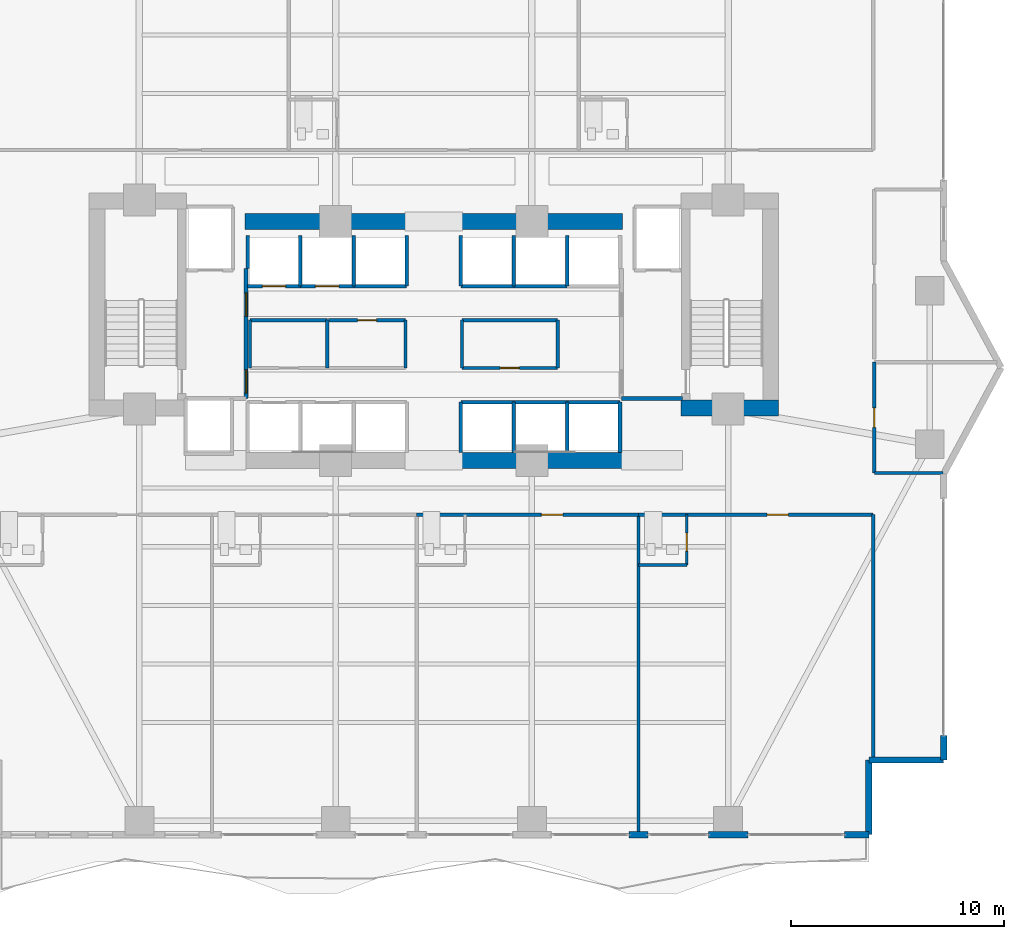
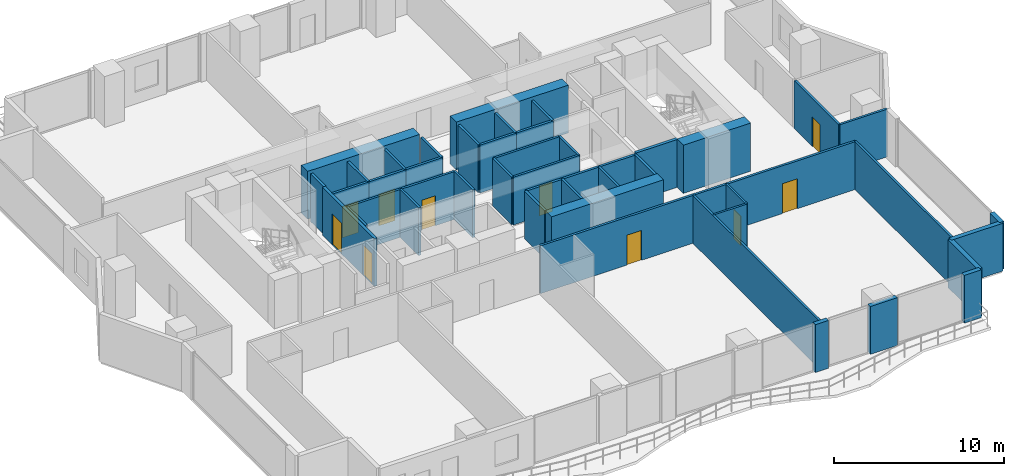
# One storey, part 22 of 28: 48 walls, 10 doors, 10 openings.
"""IFC4 building model written with IfcOpenShell, lengths in metres."""

from ifc_helpers import new_model, si_unit, direction, frame, frame_2d, origin, place, context, subcontext, project, spatial, rectangle, extrude, material, layer, layer_set, type_object, element, fill, save


model = new_model("IFC4")

# Units and contexts
model_context = context("Model", 3, precision=1e-05, world=origin(), true_north=direction((0.0, 1.0)))
body_context = subcontext(model_context, "Body", "Model", "MODEL_VIEW")
ifc_project = project(units=[si_unit("LENGTHUNIT", "METRE"), si_unit("AREAUNIT", "SQUARE_METRE"), si_unit("VOLUMEUNIT", "CUBIC_METRE"), si_unit("PLANEANGLEUNIT", "RADIAN"), si_unit("MASSUNIT", "GRAM", prefix="KILO")], contexts=[model_context])

# Site, building, storey
site_placement = place(None, origin())
site = spatial("IfcSite", under=ifc_project, at=site_placement, CompositionType="ELEMENT")
building_placement = place(site_placement, origin())
building = spatial("IfcBuilding", under=site, at=building_placement, Name="Zuhayl Quay Hotel", CompositionType="ELEMENT")
storey_placement = place(building_placement, frame((0.0, 0.0, 139.449951171875)))
storey = spatial("IfcBuildingStorey", under=building, at=storey_placement, Name="L35", CompositionType="ELEMENT", Elevation=139.449951171875)

# Walls
ifc_material_1 = material(Name="Concrete C60/75", Category="concrete")
ifc_layer_1 = layer(ifc_material_1, 0.75, Name="Concrete C60/75", Category="concrete")
ifc_layer_set_1 = layer_set([ifc_layer_1], Name="Concrete C60/75")
wall_type_1 = type_object("IfcWallType", Name="WL_CORE_750", PredefinedType="SHEAR", material=ifc_layer_set_1)
wall_1_placement = place(storey_placement, frame((11.60009765625, 4.594970703125, 0.0), z_axis=(0.0, 0.0, 1.0), x_axis=(1.0, 0.0, 0.0)))
element("IfcWall", 1, at=wall_1_placement, inside=storey, type_object=wall_type_1, Name="L35 Core Shear Wall CW_SE", PredefinedType="SHEAR", context=body_context, shape_type="SweptSolid", body=[
    extrude(rectangle(XDim=4.559814453125, YDim=0.75, at=frame_2d((2.27978515625, 0.0))), origin(), (0.0, 0.0, 1.0), 3.4599609375),
])
for number, where, z_axis, x_axis, name in (
    (2, (1.25, 2.14990234375, 0.0), (0.0, 0.0, 1.0), (1.0, 0.0, 0.0), "L35 Core Shear Wall CW_SC_E"),
    (3, (-8.85009765625, 13.35009765625, 0.0), (0.0, 0.0, 1.0), (1.0, 0.0, 0.0), "L35 Core Shear Wall CW_NC_W"),
    (4, (1.25, 13.35009765625, 0.0), (0.0, 0.0, 1.0), (1.0, 0.0, 0.0), "L35 Core Shear Wall CW_NC_E"),
):
    element("IfcWall", number, at=place(storey_placement, frame(where, z_axis=z_axis, x_axis=x_axis)), inside=storey, type_object=wall_type_1, Name=name, PredefinedType="SHEAR", context=body_context, shape_type="SweptSolid", body=[
        extrude(rectangle(XDim=7.60009765625, YDim=0.75, at=frame_2d((3.800048828125, 0.0))), origin(), (0.0, 0.0, 1.0), 3.429931640625),
    ])
ifc_material_2 = material(Name="Precast concrete C45/55", Category="concrete")
ifc_layer_2 = layer(ifc_material_2, 0.300048828125, Name="Precast concrete C45/55", Category="concrete")
ifc_layer_set_2 = layer_set([ifc_layer_2], Name="Precast concrete C45/55")
wall_type_2 = type_object("IfcWallType", Name="WL_EXT_300", PredefinedType="STANDARD", material=ifc_layer_set_2)
wall_2_placement = place(storey_placement, frame((23.89990234375, -10.75, 0.0), z_axis=(0.0, 0.0, 1.0), x_axis=(0.0, -1.0, 0.0)))
element("IfcWall", 5, at=wall_2_placement, inside=storey, type_object=wall_type_2, Name="L35 Exterior Precast Wall ENV_L35_E14_EW2", PredefinedType="STANDARD", context=body_context, shape_type="SweptSolid", body=[
    extrude(rectangle(XDim=1.14990234375, YDim=0.300048828125, at=frame_2d((0.574951171875, 0.0))), origin(), (0.0, 0.0, 1.0), 3.429931640625),
])
for number, where, z_axis, x_axis, name in (
    (6, (23.89990234375, -11.89990234375, 0.0), (0.0, 0.0, 1.0), (-1.0, 0.0, 0.0), "L35 Exterior Precast Wall ENV_L35_EW15"),
    (7, (20.39990234375, -11.89990234375, 0.0), (0.0, 0.0, 1.0), (0.0, -1.0, 0.0), "L35 Exterior Precast Wall ENV_L35_EW16"),
):
    element("IfcWall", number, at=place(storey_placement, frame(where, z_axis=z_axis, x_axis=x_axis)), inside=storey, type_object=wall_type_2, Name=name, PredefinedType="STANDARD", context=body_context, shape_type="SweptSolid", body=[
        extrude(rectangle(XDim=3.5, YDim=0.300048828125, at=frame_2d((1.75, 0.0))), origin(), (0.0, 0.0, 1.0), 3.429931640625),
    ])
wall_3_placement = place(storey_placement, frame((20.39990234375, -15.39990234375, 0.0), z_axis=(0.0, 0.0, 1.0), x_axis=(-1.0, 0.0, 0.0)))
element("IfcWall", 8, at=wall_3_placement, inside=storey, type_object=wall_type_2, Name="L35 Exterior Precast Wall ENV_L35_S_EW1", PredefinedType="STANDARD", context=body_context, shape_type="SweptSolid", body=[
    extrude(rectangle(XDim=1.14990234375, YDim=0.300048828125, at=frame_2d((0.574951171875, 0.0))), origin(), (0.0, 0.0, 1.0), 3.429931640625),
])
wall_4_placement = place(storey_placement, frame((14.719970703125, -15.39990234375, 0.0), z_axis=(0.0, 0.0, 1.0), x_axis=(-1.0, 0.0, 0.0)))
element("IfcWall", 9, at=wall_4_placement, inside=storey, type_object=wall_type_2, Name="L35 Exterior Precast Wall ENV_L35_S_EW2", PredefinedType="STANDARD", context=body_context, shape_type="SweptSolid", body=[
    extrude(rectangle(XDim=1.840087890625, YDim=0.300048828125, at=frame_2d((0.919921875, 0.0))), origin(), (0.0, 0.0, 1.0), 3.429931640625),
])
wall_5_placement = place(storey_placement, frame((10.050048828125, -15.39990234375, 0.0), z_axis=(0.0, 0.0, 1.0), x_axis=(-1.0, 0.0, 0.0)))
element("IfcWall", 10, at=wall_5_placement, inside=storey, type_object=wall_type_2, Name="L35 Exterior Precast Wall ENV_L35_S_EW3", PredefinedType="STANDARD", context=body_context, shape_type="SweptSolid", body=[
    extrude(rectangle(XDim=0.900146484375, YDim=0.300048828125, at=frame_2d((0.4501953125, 0.0))), origin(), (0.0, 0.0, 1.0), 3.429931640625),
])

# Wall, opening, door
ifc_material_3 = material(Name="Acoustic Gypsum Partition STC-58")
ifc_layer_3 = layer(ifc_material_3, 0.14990234375, Name="Acoustic Gypsum Partition STC-58")
ifc_layer_set_3 = layer_set([ifc_layer_3], Name="Acoustic Gypsum Partition STC-58")
wall_type_3 = type_object("IfcWallType", Name="WL_PART_150", PredefinedType="PARTITIONING", material=ifc_layer_set_3)
wall_6_placement = place(storey_placement, frame((-4.929931640625, 8.719970703125, 0.0), z_axis=(0.0, 0.0, 1.0), x_axis=(1.0, 0.0, 0.0)))
wall_6 = element("IfcWall", 11, at=wall_6_placement, inside=storey, type_object=wall_type_3, Name="L35 Partition IW_L35_CORE_BM_N", PredefinedType="PARTITIONING", context=body_context, shape_type="SweptSolid", body=[
    extrude(rectangle(XDim=3.60986328125, YDim=0.14990234375, at=frame_2d((1.804931640625, 0.0))), origin(), (0.0, 0.0, 1.0), 3.429931640625),
])
opening_1_placement = place(wall_6_placement, frame((1.35498046875, 0.0, 0.0)))
opening_1 = element("IfcOpeningElement", 12, at=opening_1_placement, cuts=wall_6, Name="Opening D06", PredefinedType="OPENING", context=body_context, shape_type="SweptSolid", body=[
    extrude(rectangle(XDim=0.89990234375, YDim=2.14990234375, at=frame_2d((0.449951171875, 1.074951171875))), frame((0.0, 0.0849609375, 0.0), z_axis=(0.0, -1.0, 0.0), x_axis=(1.0, 0.0, 0.0)), (0.0, 0.0, 1.0), 0.169921875),
])
ifc_material_4 = material(Name="Steel ASTM A992 Grade 50", Category="steel")
door_type_1 = type_object("IfcDoorType", Name="DR_INT_900", OperationType="NOTDEFINED", PredefinedType="DOOR", material=ifc_material_4)
door_1_placement = place(opening_1_placement, origin())
door_1 = element("IfcDoor", 13, at=door_1_placement, inside=storey, type_object=door_type_1, Name="L35 Telecom and BMS Closet Door", OperationType="SINGLE_SWING_LEFT", OverallHeight=2.14990234375, OverallWidth=0.89990234375, PredefinedType="DOOR", context=body_context, shape_type="SweptSolid", body=[
    extrude(rectangle(XDim=0.89990234375, YDim=2.14990234375, at=frame_2d((0.449951171875, 1.074951171875))), frame((0.0, 0.02490234375, 0.0), z_axis=(0.0, -1.0, 0.0), x_axis=(1.0, 0.0, 0.0)), (0.0, 0.0, 1.0), 0.050048828125),
])
fill(opening_1, door_1)

wall_7_placement = place(storey_placement, frame((1.320068359375, 6.47998046875, 0.0), z_axis=(0.0, 0.0, 1.0), x_axis=(1.0, 0.0, 0.0)))
wall_7 = element("IfcWall", 14, at=wall_7_placement, inside=storey, type_object=wall_type_3, Name="L35 Partition IW_L35_CORE_PN_S", PredefinedType="PARTITIONING", context=body_context, shape_type="SweptSolid", body=[
    extrude(rectangle(XDim=4.489990234375, YDim=0.14990234375, at=frame_2d((2.2451171875, 0.0))), origin(), (0.0, 0.0, 1.0), 3.429931640625),
])
opening_2_placement = place(wall_7_placement, frame((1.794921875, 0.0, 0.0)))
opening_2 = element("IfcOpeningElement", 15, at=opening_2_placement, cuts=wall_7, Name="Opening D06", PredefinedType="OPENING", context=body_context, shape_type="SweptSolid", body=[
    extrude(rectangle(XDim=0.89990234375, YDim=2.14990234375, at=frame_2d((0.449951171875, 1.074951171875))), frame((0.0, 0.0849609375, 0.0), z_axis=(0.0, -1.0, 0.0), x_axis=(1.0, 0.0, 0.0)), (0.0, 0.0, 1.0), 0.169921875),
])
door_2_placement = place(opening_2_placement, origin())
door_2 = element("IfcDoor", 16, at=door_2_placement, inside=storey, type_object=door_type_1, Name="L35 Core Ice and Pantry Room Door", OperationType="SINGLE_SWING_RIGHT", OverallHeight=2.14990234375, OverallWidth=0.89990234375, PredefinedType="DOOR", context=body_context, shape_type="SweptSolid", body=[
    extrude(rectangle(XDim=0.89990234375, YDim=2.14990234375, at=frame_2d((0.449951171875, 1.074951171875))), frame((0.0, 0.02490234375, 0.0), z_axis=(0.0, -1.0, 0.0), x_axis=(1.0, 0.0, 0.0)), (0.0, 0.0, 1.0), 0.050048828125),
])
fill(opening_2, door_2)

# Walls
wall_8_placement = place(storey_placement, frame((-8.610107421875, 8.719970703125, 0.0), z_axis=(0.0, 0.0, 1.0), x_axis=(1.0, 0.0, 0.0)))
element("IfcWall", 17, at=wall_8_placement, inside=storey, type_object=wall_type_3, Name="L35 Partition IW_L35_CORE_SW_N", PredefinedType="PARTITIONING", context=body_context, shape_type="SweptSolid", body=[
    extrude(rectangle(XDim=3.6201171875, YDim=0.14990234375, at=frame_2d((1.81005859375, 0.0))), origin(), (0.0, 0.0, 1.0), 3.429931640625),
])
for number, where, z_axis, x_axis, name in (
    (18, (-8.610107421875, 6.47998046875, 0.0), (0.0, 0.0, 1.0), (0.0, 1.0, 0.0), "L35 Partition IW_L35_CORE_SW_W"),
    (19, (-4.989990234375, 6.47998046875, 0.0), (0.0, 0.0, 1.0), (0.0, 1.0, 0.0), "L35 Partition IW_L35_CORE_SW_E"),
    (20, (-1.320068359375, 6.47998046875, 0.0), (0.0, 0.0, 1.0), (0.0, 1.0, 0.0), "L35 Partition IW_L35_CORE_BM_E"),
):
    element("IfcWall", number, at=place(storey_placement, frame(where, z_axis=z_axis, x_axis=x_axis)), inside=storey, type_object=wall_type_3, Name=name, PredefinedType="PARTITIONING", context=body_context, shape_type="SweptSolid", body=[
        extrude(rectangle(XDim=2.239990234375, YDim=0.14990234375, at=frame_2d((1.1201171875, 0.0))), origin(), (0.0, 0.0, 1.0), 3.429931640625),
    ])
wall_9_placement = place(storey_placement, frame((1.320068359375, 8.719970703125, 0.0), z_axis=(0.0, 0.0, 1.0), x_axis=(1.0, 0.0, 0.0)))
element("IfcWall", 21, at=wall_9_placement, inside=storey, type_object=wall_type_3, Name="L35 Partition IW_L35_CORE_PN_N", PredefinedType="PARTITIONING", context=body_context, shape_type="SweptSolid", body=[
    extrude(rectangle(XDim=4.489990234375, YDim=0.14990234375, at=frame_2d((2.2451171875, 0.0))), origin(), (0.0, 0.0, 1.0), 3.429931640625),
])
for number, where, z_axis, x_axis, name in (
    (22, (1.320068359375, 6.47998046875, 0.0), (0.0, 0.0, 1.0), (0.0, 1.0, 0.0), "L35 Partition IW_L35_CORE_PN_W"),
    (23, (5.81005859375, 6.47998046875, 0.0), (0.0, 0.0, 1.0), (0.0, 1.0, 0.0), "L35 Partition IW_L35_CORE_PN_E"),
):
    element("IfcWall", number, at=place(storey_placement, frame(where, z_axis=z_axis, x_axis=x_axis)), inside=storey, type_object=wall_type_3, Name=name, PredefinedType="PARTITIONING", context=body_context, shape_type="SweptSolid", body=[
        extrude(rectangle(XDim=2.239990234375, YDim=0.14990234375, at=frame_2d((1.1201171875, 0.0))), origin(), (0.0, 0.0, 1.0), 3.429931640625),
    ])
wall_10_placement = place(storey_placement, frame((9.60009765625, -15.320068359375, 0.0), z_axis=(0.0, 0.0, 1.0), x_axis=(0.0, 1.0, 0.0)))
element("IfcWall", 24, at=wall_10_placement, inside=storey, type_object=wall_type_3, Name="L35 Partition IW_L35_SU03_E", PredefinedType="PARTITIONING", context=body_context, shape_type="SweptSolid", body=[
    extrude(rectangle(XDim=14.920166015625, YDim=0.14990234375, at=frame_2d((7.4599609375, 0.0))), origin(), (0.0, 0.0, 1.0), 3.429931640625),
])
wall_11_placement = place(storey_placement, frame((20.60009765625, -11.89990234375, 0.0), z_axis=(0.0, 0.0, 1.0), x_axis=(0.0, 1.0, 0.0)))
element("IfcWall", 25, at=wall_11_placement, inside=storey, type_object=wall_type_3, Name="L35 Partition IW_L35_SU04_E", PredefinedType="PARTITIONING", context=body_context, shape_type="SweptSolid", body=[
    extrude(rectangle(XDim=11.5, YDim=0.14990234375, at=frame_2d((5.75, 0.0))), origin(), (0.0, 0.0, 1.0), 3.429931640625),
])
wall_12_placement = place(storey_placement, frame((20.64990234375, 1.550048828125, 0.0), z_axis=(0.0, 0.0, 1.0), x_axis=(1.0, 0.0, 0.0)))
element("IfcWall", 26, at=wall_12_placement, inside=storey, type_object=wall_type_3, Name="L35 Partition IW_L35_HK_MAIN_S", PredefinedType="PARTITIONING", context=body_context, shape_type="SweptSolid", body=[
    extrude(rectangle(XDim=3.217041015625, YDim=0.14990234375, at=frame_2d((1.6083984375, 0.0))), origin(), (0.0, 0.0, 1.0), 3.429931640625),
])

# Wall, opening, door
ifc_layer_4 = layer(ifc_material_3, 0.159912109375, Name="Acoustic Gypsum Partition STC-58")
ifc_layer_set_4 = layer_set([ifc_layer_4], Name="Acoustic Gypsum Partition STC-58")
wall_type_4 = type_object("IfcWallType", Name="WL_PART_CORR_160", PredefinedType="PARTITIONING", material=ifc_layer_set_4)
wall_13_placement = place(storey_placement, frame((-0.800048828125, -0.39990234375, 0.0), z_axis=(0.0, 0.0, 1.0), x_axis=(1.0, 0.0, 0.0)))
wall_13 = element("IfcWall", 27, at=wall_13_placement, inside=storey, type_object=wall_type_4, Name="L35 Partition IW_L35_SU03_COR", PredefinedType="PARTITIONING", context=body_context, shape_type="SweptSolid", body=[
    extrude(rectangle(XDim=10.400146484375, YDim=0.159912109375, at=frame_2d((5.2001953125, 0.0))), origin(), (0.0, 0.0, 1.0), 3.429931640625),
])
opening_3_placement = place(wall_13_placement, frame((5.85009765625, 0.0, 0.0)))
opening_3 = element("IfcOpeningElement", 28, at=opening_3_placement, cuts=wall_13, Name="Opening D03L", PredefinedType="OPENING", context=body_context, shape_type="SweptSolid", body=[
    extrude(rectangle(XDim=1.0, YDim=2.14990234375, at=frame_2d((0.5, 1.074951171875))), frame((0.0, 0.08984375, 0.0), z_axis=(0.0, -1.0, 0.0), x_axis=(1.0, 0.0, 0.0)), (0.0, 0.0, 1.0), 0.179931640625),
])
ifc_material_5 = material(Name="Solid Walnut Acoustic Fire Door")
door_type_2 = type_object("IfcDoorType", Name="DR_SUITE_1000", OperationType="NOTDEFINED", PredefinedType="DOOR", material=ifc_material_5)
door_3_placement = place(opening_3_placement, origin())
door_3 = element("IfcDoor", 29, at=door_3_placement, inside=storey, type_object=door_type_2, Name="L35 City-View Junior Suite L35-03 Entrance Door", OperationType="SINGLE_SWING_LEFT", OverallHeight=2.14990234375, OverallWidth=1.0, PredefinedType="DOOR", context=body_context, shape_type="SweptSolid", body=[
    extrude(rectangle(XDim=1.0, YDim=2.14990234375, at=frame_2d((0.5, 1.074951171875))), frame((0.0, 0.02490234375, 0.0), z_axis=(0.0, -1.0, 0.0), x_axis=(1.0, 0.0, 0.0)), (0.0, 0.0, 1.0), 0.050048828125),
])
fill(opening_3, door_3)

wall_14_placement = place(storey_placement, frame((9.60009765625, -0.39990234375, 0.0), z_axis=(0.0, 0.0, 1.0), x_axis=(1.0, 0.0, 0.0)))
wall_14 = element("IfcWall", 30, at=wall_14_placement, inside=storey, type_object=wall_type_4, Name="L35 Partition IW_L35_SU04_COR", PredefinedType="PARTITIONING", context=body_context, shape_type="SweptSolid", body=[
    extrude(rectangle(XDim=11.0, YDim=0.159912109375, at=frame_2d((5.5, 0.0))), origin(), (0.0, 0.0, 1.0), 3.429931640625),
])
opening_4_placement = place(wall_14_placement, frame((6.02490234375, 0.0, 0.0)))
opening_4 = element("IfcOpeningElement", 31, at=opening_4_placement, cuts=wall_14, Name="Opening D03L", PredefinedType="OPENING", context=body_context, shape_type="SweptSolid", body=[
    extrude(rectangle(XDim=1.0, YDim=2.14990234375, at=frame_2d((0.5, 1.074951171875))), frame((0.0, 0.08984375, 0.0), z_axis=(0.0, -1.0, 0.0), x_axis=(1.0, 0.0, 0.0)), (0.0, 0.0, 1.0), 0.179931640625),
])
door_4_placement = place(opening_4_placement, origin())
door_4 = element("IfcDoor", 32, at=door_4_placement, inside=storey, type_object=door_type_2, Name="L35 City-View Junior Suite L35-04 Entrance Door", OperationType="SINGLE_SWING_LEFT", OverallHeight=2.14990234375, OverallWidth=1.0, PredefinedType="DOOR", context=body_context, shape_type="SweptSolid", body=[
    extrude(rectangle(XDim=1.0, YDim=2.14990234375, at=frame_2d((0.5, 1.074951171875))), frame((0.0, 0.02490234375, 0.0), z_axis=(0.0, -1.0, 0.0), x_axis=(1.0, 0.0, 0.0)), (0.0, 0.0, 1.0), 0.050048828125),
])
fill(opening_4, door_4)

wall_15_placement = place(storey_placement, frame((20.64990234375, 1.550048828125, 0.0), z_axis=(0.0, 0.0, 1.0), x_axis=(0.0, 1.0, 0.0)))
wall_15 = element("IfcWall", 33, at=wall_15_placement, inside=storey, type_object=wall_type_4, Name="L35 Partition IW_L35_HK_MAIN_W", PredefinedType="PARTITIONING", context=body_context, shape_type="SweptSolid", body=[
    extrude(rectangle(XDim=5.199951171875, YDim=0.159912109375, at=frame_2d((2.60009765625, 0.0))), origin(), (0.0, 0.0, 1.0), 3.429931640625),
])
opening_5_placement = place(wall_15_placement, frame((2.139892578125, 0.0, 0.0)))
opening_5 = element("IfcOpeningElement", 34, at=opening_5_placement, cuts=wall_15, Name="Opening D05", PredefinedType="OPENING", context=body_context, shape_type="SweptSolid", body=[
    extrude(rectangle(XDim=0.919921875, YDim=2.1201171875, at=frame_2d((0.4599609375, 1.06005859375))), frame((0.0, 0.08984375, 0.0), z_axis=(0.0, -1.0, 0.0), x_axis=(1.0, 0.0, 0.0)), (0.0, 0.0, 1.0), 0.179931640625),
])
door_type_3 = type_object("IfcDoorType", Name="DR_INT_950", OperationType="NOTDEFINED", PredefinedType="DOOR", material=ifc_material_5)
door_5_placement = place(opening_5_placement, origin())
door_5 = element("IfcDoor", 35, at=door_5_placement, inside=storey, type_object=door_type_3, Name="L35 Housekeeping and Linen Room Door", OperationType="SINGLE_SWING_RIGHT", OverallHeight=2.1201171875, OverallWidth=0.919921875, PredefinedType="DOOR", context=body_context, shape_type="SweptSolid", body=[
    extrude(rectangle(XDim=0.919921875, YDim=2.1201171875, at=frame_2d((0.4599609375, 1.06005859375))), frame((0.0, 0.02490234375, 0.0), z_axis=(0.0, -1.0, 0.0), x_axis=(1.0, 0.0, 0.0)), (0.0, 0.0, 1.0), 0.050048828125),
])
fill(opening_5, door_5)

ifc_material_6 = material(Name="Moisture-Resistant Sanitarychase Gypsum")
ifc_layer_5 = layer(ifc_material_6, 0.135009765625, Name="Moisture-Resistant Sanitarychase Gypsum")
ifc_layer_set_5 = layer_set([ifc_layer_5], Name="Moisture-Resistant Sanitarychase Gypsum")
wall_type_5 = type_object("IfcWallType", Name="WL_PART_PLUMB_150", PredefinedType="PLUMBINGWALL", material=ifc_layer_set_5)
wall_16_placement = place(storey_placement, frame((11.860107421875, -2.760009765625, 0.0), z_axis=(0.0, 0.0, 1.0), x_axis=(0.0, 1.0, 0.0)))
wall_16 = element("IfcWall", 36, at=wall_16_placement, inside=storey, type_object=wall_type_5, Name="L35 Partition IW_L35_SU04_BE", PredefinedType="PLUMBINGWALL", context=body_context, shape_type="SweptSolid", body=[
    extrude(rectangle(XDim=2.360107421875, YDim=0.135009765625, at=frame_2d((1.18017578125, 0.0))), origin(), (0.0, 0.0, 1.0), 3.429931640625),
])
opening_6_placement = place(wall_16_placement, frame((0.64990234375, 0.0, 0.0)))
opening_6 = element("IfcOpeningElement", 37, at=opening_6_placement, cuts=wall_16, Name="Opening D04", PredefinedType="OPENING", context=body_context, shape_type="SweptSolid", body=[
    extrude(rectangle(XDim=0.85009765625, YDim=2.10009765625, at=frame_2d((0.425048828125, 1.050048828125))), frame((0.0, 0.077392578125, 0.0), z_axis=(0.0, -1.0, 0.0), x_axis=(1.0, 0.0, 0.0)), (0.0, 0.0, 1.0), 0.155029296875),
])
ifc_material_7 = material(Name="Moisture-Resistant Walnut Veneer")
door_type_4 = type_object("IfcDoorType", Name="DR_BATH_850", OperationType="NOTDEFINED", PredefinedType="DOOR", material=ifc_material_7)
door_6_placement = place(opening_6_placement, origin())
door_6 = element("IfcDoor", 38, at=door_6_placement, inside=storey, type_object=door_type_4, Name="L35 City-View Junior Suite L35-04 En-Suite Door", OperationType="SINGLE_SWING_RIGHT", OverallHeight=2.10009765625, OverallWidth=0.85009765625, PredefinedType="DOOR", context=body_context, shape_type="SweptSolid", body=[
    extrude(rectangle(XDim=0.85009765625, YDim=2.10009765625, at=frame_2d((0.425048828125, 1.050048828125))), frame((0.0, 0.02490234375, 0.0), z_axis=(0.0, -1.0, 0.0), x_axis=(1.0, 0.0, 0.0)), (0.0, 0.0, 1.0), 0.050048828125),
])
fill(opening_6, door_6)

# Wall
wall_17_placement = place(storey_placement, frame((9.60009765625, -2.760009765625, 0.0), z_axis=(0.0, 0.0, 1.0), x_axis=(1.0, 0.0, 0.0)))
element("IfcWall", 39, at=wall_17_placement, inside=storey, type_object=wall_type_5, Name="L35 Partition IW_L35_SU04_BS", PredefinedType="PLUMBINGWALL", context=body_context, shape_type="SweptSolid", body=[
    extrude(rectangle(XDim=2.260009765625, YDim=0.135009765625, at=frame_2d((1.1298828125, 0.0))), origin(), (0.0, 0.0, 1.0), 3.429931640625),
])

# Wall, opening, door
ifc_material_8 = material(Name="Gypsum Fireboard Assembly EI-90")
ifc_layer_6 = layer(ifc_material_8, 0.1650390625, Name="Gypsum Fireboard Assembly EI-90")
ifc_layer_set_6 = layer_set([ifc_layer_6], Name="Gypsum Fireboard Assembly EI-90")
wall_type_6 = type_object("IfcWallType", Name="WL_PART_SHAFT_160", PredefinedType="PARTITIONING", material=ifc_layer_set_6)
wall_18_placement = place(storey_placement, frame((-8.72998046875, 10.320068359375, 0.0), z_axis=(0.0, 0.0, 1.0), x_axis=(1.0, 0.0, 0.0)))
wall_18 = element("IfcWall", 40, at=wall_18_placement, inside=storey, type_object=wall_type_6, Name="L35 Partition IW_L35_SH_LP3_F", PredefinedType="PARTITIONING", context=body_context, shape_type="SweptSolid", body=[
    extrude(rectangle(XDim=2.47998046875, YDim=0.1650390625, at=frame_2d((1.239990234375, 0.0))), origin(), (0.0, 0.0, 1.0), 3.429931640625),
])
opening_7_placement = place(wall_18_placement, frame((0.68994140625, 0.0, 0.0)))
opening_7 = element("IfcOpeningElement", 41, at=opening_7_placement, cuts=wall_18, Name="Opening LD1", PredefinedType="OPENING", context=body_context, shape_type="SweptSolid", body=[
    extrude(rectangle(XDim=1.10009765625, YDim=2.25, at=frame_2d((0.550048828125, 1.125))), frame((0.0, 0.092529296875, 0.0), z_axis=(0.0, -1.0, 0.0), x_axis=(1.0, 0.0, 0.0)), (0.0, 0.0, 1.0), 0.18505859375),
])
ifc_material_9 = material(Name="Brushed Stainless Steel", Category="steel")
door_type_5 = type_object("IfcDoorType", Name="DR_LIFT_PASS_1100", OperationType="SLIDING_TO_LEFT", PredefinedType="DOOR", material=ifc_material_9)
door_7_placement = place(opening_7_placement, origin())
door_7 = element("IfcDoor", 42, at=door_7_placement, inside=storey, type_object=door_type_5, Name="L35 Lift LP3 Sliding Landing Door", OperationType="SLIDING_TO_LEFT", OverallHeight=2.25, OverallWidth=1.10009765625, PredefinedType="DOOR", context=body_context, shape_type="SweptSolid", body=[
    extrude(rectangle(XDim=1.10009765625, YDim=2.25, at=frame_2d((0.550048828125, 1.125))), frame((0.0, 0.02490234375, 0.0), z_axis=(0.0, -1.0, 0.0), x_axis=(1.0, 0.0, 0.0)), (0.0, 0.0, 1.0), 0.050048828125),
])
fill(opening_7, door_7)

wall_19_placement = place(storey_placement, frame((-6.25, 10.320068359375, 0.0), z_axis=(0.0, 0.0, 1.0), x_axis=(1.0, 0.0, 0.0)))
wall_19 = element("IfcWall", 43, at=wall_19_placement, inside=storey, type_object=wall_type_6, Name="L35 Partition IW_L35_SH_LP4_F", PredefinedType="PARTITIONING", context=body_context, shape_type="SweptSolid", body=[
    extrude(rectangle(XDim=2.5, YDim=0.1650390625, at=frame_2d((1.25, 0.0))), origin(), (0.0, 0.0, 1.0), 3.429931640625),
])
opening_8_placement = place(wall_19_placement, frame((0.699951171875, 0.0, 0.0)))
opening_8 = element("IfcOpeningElement", 44, at=opening_8_placement, cuts=wall_19, Name="Opening LD1", PredefinedType="OPENING", context=body_context, shape_type="SweptSolid", body=[
    extrude(rectangle(XDim=1.10009765625, YDim=2.25, at=frame_2d((0.550048828125, 1.125))), frame((0.0, 0.092529296875, 0.0), z_axis=(0.0, -1.0, 0.0), x_axis=(1.0, 0.0, 0.0)), (0.0, 0.0, 1.0), 0.18505859375),
])
door_8_placement = place(opening_8_placement, origin())
door_8 = element("IfcDoor", 45, at=door_8_placement, inside=storey, type_object=door_type_5, Name="L35 Lift LP4 Sliding Landing Door", OperationType="SLIDING_TO_LEFT", OverallHeight=2.25, OverallWidth=1.10009765625, PredefinedType="DOOR", context=body_context, shape_type="SweptSolid", body=[
    extrude(rectangle(XDim=1.10009765625, YDim=2.25, at=frame_2d((0.550048828125, 1.125))), frame((0.0, 0.02490234375, 0.0), z_axis=(0.0, -1.0, 0.0), x_axis=(1.0, 0.0, 0.0)), (0.0, 0.0, 1.0), 0.050048828125),
])
fill(opening_8, door_8)

# Walls
wall_20_placement = place(storey_placement, frame((-8.72998046875, 11.14990234375, 0.0), z_axis=(0.0, 0.0, 1.0), x_axis=(0.0, 1.0, 0.0)))
element("IfcWall", 46, at=wall_20_placement, inside=storey, type_object=wall_type_6, Name="L35 Partition IW_L35_SH_LP3_W", PredefinedType="PARTITIONING", context=body_context, shape_type="SweptSolid", body=[
    extrude(rectangle(XDim=1.530029296875, YDim=0.1650390625, at=frame_2d((0.76513671875, 0.0))), origin(), (0.0, 0.0, 1.0), 3.429931640625),
])
for number, where, z_axis, x_axis, name in (
    (47, (-6.25, 10.320068359375, 0.0), (0.0, 0.0, 1.0), (0.0, 1.0, 0.0), "L35 Partition IW_L35_SH_LP3_E"),
    (48, (-3.75, 10.320068359375, 0.0), (0.0, 0.0, 1.0), (0.0, 1.0, 0.0), "L35 Partition IW_L35_SH_LP4_E"),
):
    element("IfcWall", number, at=place(storey_placement, frame(where, z_axis=z_axis, x_axis=x_axis)), inside=storey, type_object=wall_type_6, Name=name, PredefinedType="PARTITIONING", context=body_context, shape_type="SweptSolid", body=[
        extrude(rectangle(XDim=2.35986328125, YDim=0.1650390625, at=frame_2d((1.179931640625, 0.0))), origin(), (0.0, 0.0, 1.0), 3.429931640625),
    ])
wall_21_placement = place(storey_placement, frame((1.27001953125, 4.8798828125, 0.0), z_axis=(0.0, 0.0, 1.0), x_axis=(1.0, 0.0, 0.0)))
element("IfcWall", 49, at=wall_21_placement, inside=storey, type_object=wall_type_6, Name="L35 Partition IW_L35_SH_MP2_F", PredefinedType="PARTITIONING", context=body_context, shape_type="SweptSolid", body=[
    extrude(rectangle(XDim=2.47998046875, YDim=0.1650390625, at=frame_2d((1.239990234375, 0.0))), origin(), (0.0, 0.0, 1.0), 3.429931640625),
])
for number, where, z_axis, x_axis, name in (
    (50, (1.27001953125, 2.52001953125, 0.0), (0.0, 0.0, 1.0), (0.0, 1.0, 0.0), "L35 Partition IW_L35_SH_MP2_W"),
    (51, (3.75, 2.52001953125, 0.0), (0.0, 0.0, 1.0), (0.0, 1.0, 0.0), "L35 Partition IW_L35_SH_MP2_E"),
):
    element("IfcWall", number, at=place(storey_placement, frame(where, z_axis=z_axis, x_axis=x_axis)), inside=storey, type_object=wall_type_6, Name=name, PredefinedType="PARTITIONING", context=body_context, shape_type="SweptSolid", body=[
        extrude(rectangle(XDim=2.35986328125, YDim=0.1650390625, at=frame_2d((1.179931640625, 0.0))), origin(), (0.0, 0.0, 1.0), 3.429931640625),
    ])
wall_22_placement = place(storey_placement, frame((-3.75, 10.320068359375, 0.0), z_axis=(0.0, 0.0, 1.0), x_axis=(1.0, 0.0, 0.0)))
element("IfcWall", 52, at=wall_22_placement, inside=storey, type_object=wall_type_6, Name="L35 Partition IW_L35_SH_MP3_F", PredefinedType="PARTITIONING", context=body_context, shape_type="SweptSolid", body=[
    extrude(rectangle(XDim=2.47998046875, YDim=0.1650390625, at=frame_2d((1.239990234375, 0.0))), origin(), (0.0, 0.0, 1.0), 3.429931640625),
])
wall_23_placement = place(storey_placement, frame((-1.27001953125, 10.320068359375, 0.0), z_axis=(0.0, 0.0, 1.0), x_axis=(0.0, 1.0, 0.0)))
element("IfcWall", 53, at=wall_23_placement, inside=storey, type_object=wall_type_6, Name="L35 Partition IW_L35_SH_MP3_E", PredefinedType="PARTITIONING", context=body_context, shape_type="SweptSolid", body=[
    extrude(rectangle(XDim=2.35986328125, YDim=0.1650390625, at=frame_2d((1.179931640625, 0.0))), origin(), (0.0, 0.0, 1.0), 3.429931640625),
])
wall_24_placement = place(storey_placement, frame((1.27001953125, 10.320068359375, 0.0), z_axis=(0.0, 0.0, 1.0), x_axis=(1.0, 0.0, 0.0)))
element("IfcWall", 54, at=wall_24_placement, inside=storey, type_object=wall_type_6, Name="L35 Partition IW_L35_SH_MP4_F", PredefinedType="PARTITIONING", context=body_context, shape_type="SweptSolid", body=[
    extrude(rectangle(XDim=2.47998046875, YDim=0.1650390625, at=frame_2d((1.239990234375, 0.0))), origin(), (0.0, 0.0, 1.0), 3.429931640625),
])
for number, where, z_axis, x_axis, name in (
    (55, (1.27001953125, 10.320068359375, 0.0), (0.0, 0.0, 1.0), (0.0, 1.0, 0.0), "L35 Partition IW_L35_SH_MP4_W"),
    (56, (3.75, 10.320068359375, 0.0), (0.0, 0.0, 1.0), (0.0, 1.0, 0.0), "L35 Partition IW_L35_SH_MP4_E"),
):
    element("IfcWall", number, at=place(storey_placement, frame(where, z_axis=z_axis, x_axis=x_axis)), inside=storey, type_object=wall_type_6, Name=name, PredefinedType="PARTITIONING", context=body_context, shape_type="SweptSolid", body=[
        extrude(rectangle(XDim=2.35986328125, YDim=0.1650390625, at=frame_2d((1.179931640625, 0.0))), origin(), (0.0, 0.0, 1.0), 3.429931640625),
    ])
wall_25_placement = place(storey_placement, frame((3.75, 4.8798828125, 0.0), z_axis=(0.0, 0.0, 1.0), x_axis=(1.0, 0.0, 0.0)))
element("IfcWall", 57, at=wall_25_placement, inside=storey, type_object=wall_type_6, Name="L35 Partition IW_L35_SH_HP1_F", PredefinedType="PARTITIONING", context=body_context, shape_type="SweptSolid", body=[
    extrude(rectangle(XDim=2.5, YDim=0.1650390625, at=frame_2d((1.25, 0.0))), origin(), (0.0, 0.0, 1.0), 3.429931640625),
])
wall_26_placement = place(storey_placement, frame((6.25, 2.52001953125, 0.0), z_axis=(0.0, 0.0, 1.0), x_axis=(0.0, 1.0, 0.0)))
element("IfcWall", 58, at=wall_26_placement, inside=storey, type_object=wall_type_6, Name="L35 Partition IW_L35_SH_HP1_E", PredefinedType="PARTITIONING", context=body_context, shape_type="SweptSolid", body=[
    extrude(rectangle(XDim=2.35986328125, YDim=0.1650390625, at=frame_2d((1.179931640625, 0.0))), origin(), (0.0, 0.0, 1.0), 3.429931640625),
])
wall_27_placement = place(storey_placement, frame((6.25, 4.8798828125, 0.0), z_axis=(0.0, 0.0, 1.0), x_axis=(1.0, 0.0, 0.0)))
element("IfcWall", 59, at=wall_27_placement, inside=storey, type_object=wall_type_6, Name="L35 Partition IW_L35_SH_HP2_F", PredefinedType="PARTITIONING", context=body_context, shape_type="SweptSolid", body=[
    extrude(rectangle(XDim=2.47998046875, YDim=0.1650390625, at=frame_2d((1.239990234375, 0.0))), origin(), (0.0, 0.0, 1.0), 3.429931640625),
])
wall_28_placement = place(storey_placement, frame((8.72998046875, 2.52001953125, 0.0), z_axis=(0.0, 0.0, 1.0), x_axis=(0.0, 1.0, 0.0)))
element("IfcWall", 60, at=wall_28_placement, inside=storey, type_object=wall_type_6, Name="L35 Partition IW_L35_SH_HP2_E", PredefinedType="PARTITIONING", context=body_context, shape_type="SweptSolid", body=[
    extrude(rectangle(XDim=2.35986328125, YDim=0.1650390625, at=frame_2d((1.179931640625, 0.0))), origin(), (0.0, 0.0, 1.0), 3.429931640625),
])
wall_29_placement = place(storey_placement, frame((3.75, 10.320068359375, 0.0), z_axis=(0.0, 0.0, 1.0), x_axis=(1.0, 0.0, 0.0)))
element("IfcWall", 61, at=wall_29_placement, inside=storey, type_object=wall_type_6, Name="L35 Partition IW_L35_SH_HP3_F", PredefinedType="PARTITIONING", context=body_context, shape_type="SweptSolid", body=[
    extrude(rectangle(XDim=2.5, YDim=0.1650390625, at=frame_2d((1.25, 0.0))), origin(), (0.0, 0.0, 1.0), 3.429931640625),
])
wall_30_placement = place(storey_placement, frame((6.25, 10.320068359375, 0.0), z_axis=(0.0, 0.0, 1.0), x_axis=(0.0, 1.0, 0.0)))
element("IfcWall", 62, at=wall_30_placement, inside=storey, type_object=wall_type_6, Name="L35 Partition IW_L35_SH_HP3_E", PredefinedType="PARTITIONING", context=body_context, shape_type="SweptSolid", body=[
    extrude(rectangle(XDim=2.35986328125, YDim=0.1650390625, at=frame_2d((1.179931640625, 0.0))), origin(), (0.0, 0.0, 1.0), 3.429931640625),
])

# Wall, openings, doors
ifc_material_10 = material(Name="Gypsum Fireboard Assembly EI-120")
ifc_layer_7 = layer(ifc_material_10, 0.199951171875, Name="Gypsum Fireboard Assembly EI-120")
ifc_layer_set_7 = layer_set([ifc_layer_7], Name="Gypsum Fireboard Assembly EI-120")
wall_type_7 = type_object("IfcWallType", Name="WL_PART_SHAFT_200", PredefinedType="PARTITIONING", material=ifc_layer_set_7)
wall_31_placement = place(storey_placement, frame((-8.800048828125, 5.050048828125, 0.0), z_axis=(0.0, 0.0, 1.0), x_axis=(0.0, 1.0, 0.0)))
wall_31 = element("IfcWall", 63, at=wall_31_placement, inside=storey, type_object=wall_type_7, Name="L35 Partition IW_L35_FSAE_W_E", PredefinedType="PARTITIONING", context=body_context, shape_type="SweptSolid", body=[
    extrude(rectangle(XDim=6.099853515625, YDim=0.199951171875, at=frame_2d((3.0498046875, 0.0))), origin(), (0.0, 0.0, 1.0), 3.429931640625),
])
opening_9_placement = place(wall_31_placement, frame((0.25, 0.0, 0.0)))
opening_9 = element("IfcOpeningElement", 64, at=opening_9_placement, cuts=wall_31, Name="Opening D02", PredefinedType="OPENING", context=body_context, shape_type="SweptSolid", body=[
    extrude(rectangle(XDim=1.10009765625, YDim=2.199951171875, at=frame_2d((0.550048828125, 1.10009765625))), frame((0.0, 0.10986328125, 0.0), z_axis=(0.0, -1.0, 0.0), x_axis=(1.0, 0.0, 0.0)), (0.0, 0.0, 1.0), 0.219970703125),
])
opening_10_placement = place(wall_31_placement, frame((3.85009765625, 0.0, 0.0)))
opening_10 = element("IfcOpeningElement", 65, at=opening_10_placement, cuts=wall_31, Name="Opening D02", PredefinedType="OPENING", context=body_context, shape_type="SweptSolid", body=[
    extrude(rectangle(XDim=1.10009765625, YDim=2.199951171875, at=frame_2d((0.550048828125, 1.10009765625))), frame((0.0, 0.10986328125, 0.0), z_axis=(0.0, -1.0, 0.0), x_axis=(1.0, 0.0, 0.0)), (0.0, 0.0, 1.0), 0.219970703125),
])
door_type_6 = type_object("IfcDoorType", Name="DR_FIRE_90_1100", OperationType="NOTDEFINED", PredefinedType="DOOR", material=ifc_material_4)
door_9_placement = place(opening_9_placement, origin())
door_9 = element("IfcDoor", 66, at=door_9_placement, inside=storey, type_object=door_type_6, Name="L35 FSAE Lobby West South Entry Door", OperationType="SINGLE_SWING_RIGHT", OverallHeight=2.199951171875, OverallWidth=1.10009765625, PredefinedType="DOOR", context=body_context, shape_type="SweptSolid", body=[
    extrude(rectangle(XDim=1.10009765625, YDim=2.199951171875, at=frame_2d((0.550048828125, 1.10009765625))), frame((0.0, 0.02490234375, 0.0), z_axis=(0.0, -1.0, 0.0), x_axis=(1.0, 0.0, 0.0)), (0.0, 0.0, 1.0), 0.050048828125),
])
fill(opening_9, door_9)
door_10_placement = place(opening_10_placement, origin())
door_10 = element("IfcDoor", 67, at=door_10_placement, inside=storey, type_object=door_type_6, Name="L35 FSAE Lobby West North Entry Door", OperationType="SINGLE_SWING_LEFT", OverallHeight=2.199951171875, OverallWidth=1.10009765625, PredefinedType="DOOR", context=body_context, shape_type="SweptSolid", body=[
    extrude(rectangle(XDim=1.10009765625, YDim=2.199951171875, at=frame_2d((0.550048828125, 1.10009765625))), frame((0.0, 0.02490234375, 0.0), z_axis=(0.0, -1.0, 0.0), x_axis=(1.0, 0.0, 0.0)), (0.0, 0.0, 1.0), 0.050048828125),
])
fill(opening_10, door_10)

# Wall
wall_32_placement = place(storey_placement, frame((8.800048828125, 5.050048828125, 0.0), z_axis=(0.0, 0.0, 1.0), x_axis=(1.0, 0.0, 0.0)))
element("IfcWall", 68, at=wall_32_placement, inside=storey, type_object=wall_type_7, Name="L35 Partition IW_L35_FSAE_E_S", PredefinedType="PARTITIONING", context=body_context, shape_type="SweptSolid", body=[
    extrude(rectangle(XDim=2.849853515625, YDim=0.199951171875, at=frame_2d((1.4248046875, 0.0))), origin(), (0.0, 0.0, 1.0), 3.429931640625),
])

save(model, "model.ifc")
